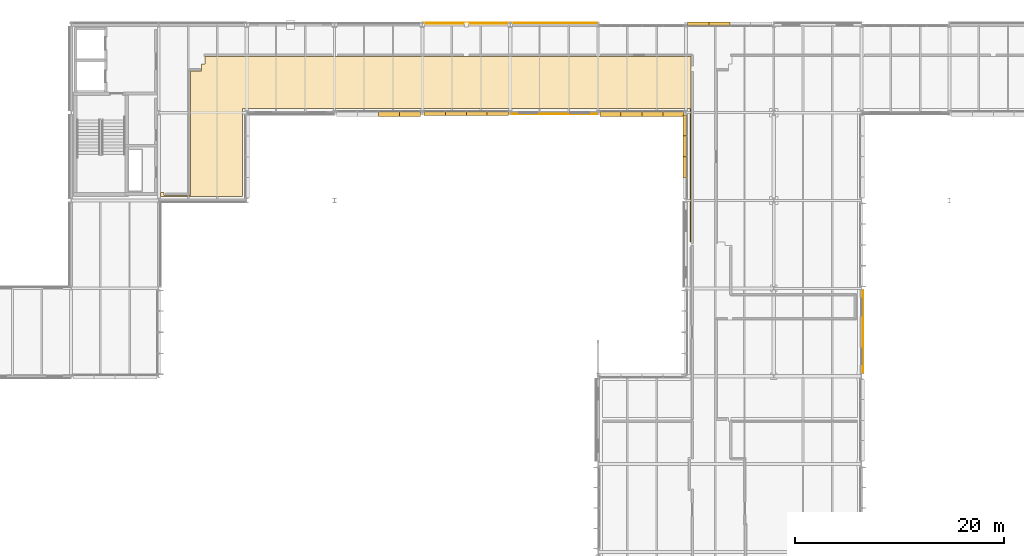
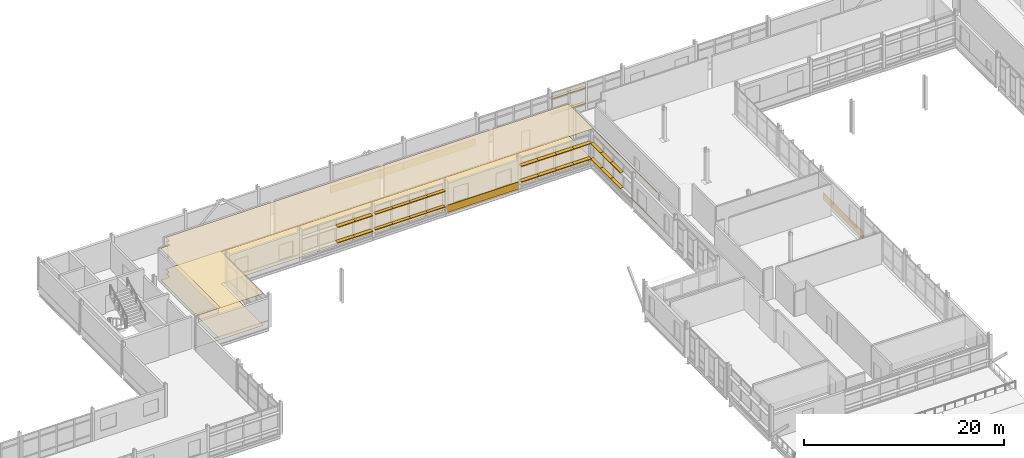
# One storey, part 97 of 103: 30 shading devices, 6 coverings.
"""IFC4 building model written with IfcOpenShell, lengths in metres."""

from ifc_helpers import new_model, si_unit, direction, frame, origin, origin_2d, place, context, subcontext, project, spatial, polyline, rectangle, outline, extrude, material, layer, layer_set, type_object, element, save


model = new_model("IFC4")

# Units and contexts
model_context = context("Model", 3, precision=1e-05, world=origin(), true_north=direction((0.0, 1.0)))
body_context = subcontext(model_context, "Body", "Model", "MODEL_VIEW")
ifc_project = project(units=[si_unit("LENGTHUNIT", "METRE"), si_unit("AREAUNIT", "SQUARE_METRE"), si_unit("VOLUMEUNIT", "CUBIC_METRE"), si_unit("PLANEANGLEUNIT", "RADIAN"), si_unit("MASSUNIT", "GRAM", prefix="KILO")], contexts=[model_context])

# Site, building, storey
site_placement = place(None, origin())
site = spatial("IfcSite", under=ifc_project, at=site_placement, CompositionType="ELEMENT")
building_placement = place(site_placement, origin())
building = spatial("IfcBuilding", under=site, at=building_placement, Name="Mersafa Astral City Hall", CompositionType="ELEMENT")
storey_placement = place(building_placement, frame((0.0, 0.0, 18.0)))
storey = spatial("IfcBuildingStorey", under=building, at=storey_placement, Name="L04", CompositionType="ELEMENT", Elevation=18.0)

# Coverings
ifc_material_1 = material(Name="Cairo Mokattam buff limestone cladding", Category="masonry")
ifc_layer_1 = layer(ifc_material_1, 0.06005859375, Name="Cairo Mokattam buff limestone cladding")
ifc_layer_set_1 = layer_set([ifc_layer_1], Name="Cairo Mokattam buff limestone cladding — ENV-COV-LIMESTONE-60")
covering_type_1 = type_object("IfcCoveringType", Name="ENV-COV-LIMESTONE-60", PredefinedType="CLADDING", material=ifc_layer_set_1)
for number, where, z_axis, x_axis, name in (
    (1, (88.199951171875, 126.162109375, 0.0), (0.0, 0.0, 1.0), (-1.0, 0.0, 0.0), "L04 Cairo buff limestone rainscreen cladding 287"),
    (2, (79.800048828125, 126.154541015625, 0.0), (0.0, 0.0, 1.0), (-1.0, 0.0, 0.0), "L04 Cairo buff limestone rainscreen cladding 288"),
    (3, (88.199951171875, 117.46044921875, 0.0), (0.0, 0.0, 1.0), (1.0, 0.0, 0.0), "L04 Cairo buff limestone rainscreen cladding 308"),
):
    element("IfcCovering", number, at=place(storey_placement, frame(where, z_axis=z_axis, x_axis=x_axis)), inside=storey, type_object=covering_type_1, Name=name, PredefinedType="CLADDING", context=body_context, shape_type="SweptSolid", body=[
        extrude(rectangle(XDim=8.323974609375, YDim=0.06005859375, at=origin_2d()), origin(), (0.0, 0.0, 1.0), 0.860107421875),
    ])
covering_1_placement = place(storey_placement, frame((117.7470703125, 96.66259765625, 0.0), z_axis=(0.0, 0.0, 1.0), x_axis=(0.0, 1.0, 0.0)))
element("IfcCovering", 4, at=covering_1_placement, inside=storey, type_object=covering_type_1, Name="L04 Cairo buff limestone rainscreen cladding 312", PredefinedType="CLADDING", context=body_context, shape_type="SweptSolid", body=[
    extrude(rectangle(XDim=7.923095703125, YDim=0.06005859375, at=origin_2d()), origin(), (0.0, 0.0, 1.0), 0.860107421875),
])

# Shading devices
ifc_material_2 = material(Name="Kiln-dried cedar timber brise-soleil blade", Category="wood")
shading_device_type_1 = type_object("IfcShadingDeviceType", Name="ENV-SHD-LOUVRE-380", PredefinedType="JALOUSIE", material=ifc_material_2)
shading_device_1_placement = place(storey_placement, frame((103.990478515625, 126.080078125, 0.81494140625), z_axis=(0.0, 0.0, 1.0), x_axis=(-1.0, 0.0, 0.0)))
element("IfcShadingDevice", 5, at=shading_device_1_placement, inside=storey, type_object=shading_device_type_1, Name="L04 Horizontal cedar brise-soleil louvre 1238", PredefinedType="JALOUSIE", context=body_context, shape_type="SweptSolid", body=[
    extrude(rectangle(XDim=2.05908203125, YDim=0.3798828125, at=origin_2d()), origin(), (0.0, 0.0, 1.0), 0.070068359375),
])
shading_device_2_placement = place(storey_placement, frame((101.986572265625, 126.080078125, 0.81494140625), z_axis=(0.0, 0.0, 1.0), x_axis=(-1.0, 0.0, 0.0)))
element("IfcShadingDevice", 6, at=shading_device_2_placement, inside=storey, type_object=shading_device_type_1, Name="L04 Horizontal cedar brise-soleil louvre 1239", PredefinedType="JALOUSIE", context=body_context, shape_type="SweptSolid", body=[
    extrude(rectangle(XDim=2.029052734375, YDim=0.3798828125, at=origin_2d()), origin(), (0.0, 0.0, 1.0), 0.070068359375),
])
shading_device_3_placement = place(storey_placement, frame((103.990478515625, 126.080078125, 2.71484375), z_axis=(0.0, 0.0, 1.0), x_axis=(-1.0, 0.0, 0.0)))
element("IfcShadingDevice", 7, at=shading_device_3_placement, inside=storey, type_object=shading_device_type_1, Name="L04 Horizontal cedar brise-soleil louvre 1242", PredefinedType="JALOUSIE", context=body_context, shape_type="SweptSolid", body=[
    extrude(rectangle(XDim=2.05908203125, YDim=0.3798828125, at=origin_2d()), origin(), (0.0, 0.0, 1.0), 0.070068359375),
])
for number, where, z_axis, x_axis, name in (
    (8, (101.986572265625, 126.080078125, 2.71484375), (0.0, 0.0, 1.0), (-1.0, 0.0, 0.0), "L04 Horizontal cedar brise-soleil louvre 1243"),
    (9, (76.78662109375, 117.52001953125, 0.81494140625), (0.0, 0.0, 1.0), (1.0, 0.0, 0.0), "L04 Horizontal cedar brise-soleil louvre 1297"),
):
    element("IfcShadingDevice", number, at=place(storey_placement, frame(where, z_axis=z_axis, x_axis=x_axis)), inside=storey, type_object=shading_device_type_1, Name=name, PredefinedType="JALOUSIE", context=body_context, shape_type="SweptSolid", body=[
        extrude(rectangle(XDim=2.029052734375, YDim=0.3798828125, at=origin_2d()), origin(), (0.0, 0.0, 1.0), 0.070068359375),
    ])
for number, where, z_axis, x_axis, name in (
    (10, (78.79052734375, 117.52001953125, 0.81494140625), (0.0, 0.0, 1.0), (1.0, 0.0, 0.0), "L04 Horizontal cedar brise-soleil louvre 1298"),
    (11, (80.8095703125, 117.52001953125, 0.81494140625), (0.0, 0.0, 1.0), (1.0, 0.0, 0.0), "L04 Horizontal cedar brise-soleil louvre 1299"),
):
    element("IfcShadingDevice", number, at=place(storey_placement, frame(where, z_axis=z_axis, x_axis=x_axis)), inside=storey, type_object=shading_device_type_1, Name=name, PredefinedType="JALOUSIE", context=body_context, shape_type="SweptSolid", body=[
        extrude(rectangle(XDim=2.05908203125, YDim=0.3798828125, at=origin_2d()), origin(), (0.0, 0.0, 1.0), 0.070068359375),
    ])
for number, where, z_axis, x_axis, name in (
    (12, (82.8134765625, 117.52001953125, 0.81494140625), (0.0, 0.0, 1.0), (1.0, 0.0, 0.0), "L04 Horizontal cedar brise-soleil louvre 1300"),
    (13, (76.78662109375, 117.52001953125, 2.71484375), (0.0, 0.0, 1.0), (1.0, 0.0, 0.0), "L04 Horizontal cedar brise-soleil louvre 1301"),
):
    element("IfcShadingDevice", number, at=place(storey_placement, frame(where, z_axis=z_axis, x_axis=x_axis)), inside=storey, type_object=shading_device_type_1, Name=name, PredefinedType="JALOUSIE", context=body_context, shape_type="SweptSolid", body=[
        extrude(rectangle(XDim=2.029052734375, YDim=0.3798828125, at=origin_2d()), origin(), (0.0, 0.0, 1.0), 0.070068359375),
    ])
for number, where, z_axis, x_axis, name in (
    (14, (78.79052734375, 117.52001953125, 2.71484375), (0.0, 0.0, 1.0), (1.0, 0.0, 0.0), "L04 Horizontal cedar brise-soleil louvre 1302"),
    (15, (80.8095703125, 117.52001953125, 2.71484375), (0.0, 0.0, 1.0), (1.0, 0.0, 0.0), "L04 Horizontal cedar brise-soleil louvre 1303"),
):
    element("IfcShadingDevice", number, at=place(storey_placement, frame(where, z_axis=z_axis, x_axis=x_axis)), inside=storey, type_object=shading_device_type_1, Name=name, PredefinedType="JALOUSIE", context=body_context, shape_type="SweptSolid", body=[
        extrude(rectangle(XDim=2.05908203125, YDim=0.3798828125, at=origin_2d()), origin(), (0.0, 0.0, 1.0), 0.070068359375),
    ])
shading_device_4_placement = place(storey_placement, frame((82.8134765625, 117.52001953125, 2.71484375), z_axis=(0.0, 0.0, 1.0), x_axis=(1.0, 0.0, 0.0)))
element("IfcShadingDevice", 16, at=shading_device_4_placement, inside=storey, type_object=shading_device_type_1, Name="L04 Horizontal cedar brise-soleil louvre 1304", PredefinedType="JALOUSIE", context=body_context, shape_type="SweptSolid", body=[
    extrude(rectangle(XDim=2.029052734375, YDim=0.3798828125, at=origin_2d()), origin(), (0.0, 0.0, 1.0), 0.070068359375),
])
shading_device_5_placement = place(storey_placement, frame((100.719970703125, 116.369873046875, 0.81494140625), z_axis=(0.0, 0.0, 1.0), x_axis=(0.0, -1.0, 0.0)))
element("IfcShadingDevice", 17, at=shading_device_5_placement, inside=storey, type_object=shading_device_type_1, Name="L04 Horizontal cedar brise-soleil louvre 1313", PredefinedType="JALOUSIE", context=body_context, shape_type="SweptSolid", body=[
    extrude(rectangle(XDim=2.0166015625, YDim=0.3798828125, at=origin_2d()), origin(), (0.0, 0.0, 1.0), 0.070068359375),
])
for number, where, z_axis, x_axis, name in (
    (18, (100.719970703125, 114.37841796875, 0.81494140625), (0.0, 0.0, 1.0), (0.0, -1.0, 0.0), "L04 Horizontal cedar brise-soleil louvre 1314"),
    (19, (100.719970703125, 112.37158203125, 0.81494140625), (0.0, 0.0, 1.0), (0.0, -1.0, 0.0), "L04 Horizontal cedar brise-soleil louvre 1315"),
):
    element("IfcShadingDevice", number, at=place(storey_placement, frame(where, z_axis=z_axis, x_axis=x_axis)), inside=storey, type_object=shading_device_type_1, Name=name, PredefinedType="JALOUSIE", context=body_context, shape_type="SweptSolid", body=[
        extrude(rectangle(XDim=2.04638671875, YDim=0.3798828125, at=origin_2d()), origin(), (0.0, 0.0, 1.0), 0.070068359375),
    ])
shading_device_6_placement = place(storey_placement, frame((100.719970703125, 116.369873046875, 2.71484375), z_axis=(0.0, 0.0, 1.0), x_axis=(0.0, -1.0, 0.0)))
element("IfcShadingDevice", 20, at=shading_device_6_placement, inside=storey, type_object=shading_device_type_1, Name="L04 Horizontal cedar brise-soleil louvre 1317", PredefinedType="JALOUSIE", context=body_context, shape_type="SweptSolid", body=[
    extrude(rectangle(XDim=2.0166015625, YDim=0.3798828125, at=origin_2d()), origin(), (0.0, 0.0, 1.0), 0.070068359375),
])
for number, where, z_axis, x_axis, name in (
    (21, (100.719970703125, 114.37841796875, 2.71484375), (0.0, 0.0, 1.0), (0.0, -1.0, 0.0), "L04 Horizontal cedar brise-soleil louvre 1318"),
    (22, (100.719970703125, 112.37158203125, 2.71484375), (0.0, 0.0, 1.0), (0.0, -1.0, 0.0), "L04 Horizontal cedar brise-soleil louvre 1319"),
):
    element("IfcShadingDevice", number, at=place(storey_placement, frame(where, z_axis=z_axis, x_axis=x_axis)), inside=storey, type_object=shading_device_type_1, Name=name, PredefinedType="JALOUSIE", context=body_context, shape_type="SweptSolid", body=[
        extrude(rectangle(XDim=2.04638671875, YDim=0.3798828125, at=origin_2d()), origin(), (0.0, 0.0, 1.0), 0.070068359375),
    ])
shading_device_type_2 = type_object("IfcShadingDeviceType", Name="ENV-SHD-LOUVRE-450", PredefinedType="JALOUSIE", material=ifc_material_2)
shading_device_7_placement = place(storey_placement, frame((72.409423828125, 117.485107421875, 0.81005859375), z_axis=(0.0, 0.0, 1.0), x_axis=(1.0, 0.0, 0.0)))
element("IfcShadingDevice", 23, at=shading_device_7_placement, inside=storey, type_object=shading_device_type_2, Name="L04 Horizontal cedar brise-soleil louvre 1291", PredefinedType="JALOUSIE", context=body_context, shape_type="SweptSolid", body=[
    extrude(rectangle(XDim=2.05908203125, YDim=0.449951171875, at=origin_2d()), origin(), (0.0, 0.0, 1.0), 0.080078125),
])
shading_device_8_placement = place(storey_placement, frame((74.41357421875, 117.485107421875, 0.81005859375), z_axis=(0.0, 0.0, 1.0), x_axis=(1.0, 0.0, 0.0)))
element("IfcShadingDevice", 24, at=shading_device_8_placement, inside=storey, type_object=shading_device_type_2, Name="L04 Horizontal cedar brise-soleil louvre 1292", PredefinedType="JALOUSIE", context=body_context, shape_type="SweptSolid", body=[
    extrude(rectangle(XDim=2.029052734375, YDim=0.449951171875, at=origin_2d()), origin(), (0.0, 0.0, 1.0), 0.080078125),
])
shading_device_9_placement = place(storey_placement, frame((72.409423828125, 117.485107421875, 2.7099609375), z_axis=(0.0, 0.0, 1.0), x_axis=(1.0, 0.0, 0.0)))
element("IfcShadingDevice", 25, at=shading_device_9_placement, inside=storey, type_object=shading_device_type_2, Name="L04 Horizontal cedar brise-soleil louvre 1295", PredefinedType="JALOUSIE", context=body_context, shape_type="SweptSolid", body=[
    extrude(rectangle(XDim=2.05908203125, YDim=0.449951171875, at=origin_2d()), origin(), (0.0, 0.0, 1.0), 0.080078125),
])
for number, where, z_axis, x_axis, name in (
    (26, (74.41357421875, 117.485107421875, 2.7099609375), (0.0, 0.0, 1.0), (1.0, 0.0, 0.0), "L04 Horizontal cedar brise-soleil louvre 1296"),
    (27, (93.58642578125, 117.485107421875, 0.81005859375), (0.0, 0.0, 1.0), (1.0, 0.0, 0.0), "L04 Horizontal cedar brise-soleil louvre 1305"),
):
    element("IfcShadingDevice", number, at=place(storey_placement, frame(where, z_axis=z_axis, x_axis=x_axis)), inside=storey, type_object=shading_device_type_2, Name=name, PredefinedType="JALOUSIE", context=body_context, shape_type="SweptSolid", body=[
        extrude(rectangle(XDim=2.029052734375, YDim=0.449951171875, at=origin_2d()), origin(), (0.0, 0.0, 1.0), 0.080078125),
    ])
for number, where, z_axis, x_axis, name in (
    (28, (95.590576171875, 117.485107421875, 0.81005859375), (0.0, 0.0, 1.0), (1.0, 0.0, 0.0), "L04 Horizontal cedar brise-soleil louvre 1306"),
    (29, (97.609619140625, 117.485107421875, 0.81005859375), (0.0, 0.0, 1.0), (1.0, 0.0, 0.0), "L04 Horizontal cedar brise-soleil louvre 1307"),
):
    element("IfcShadingDevice", number, at=place(storey_placement, frame(where, z_axis=z_axis, x_axis=x_axis)), inside=storey, type_object=shading_device_type_2, Name=name, PredefinedType="JALOUSIE", context=body_context, shape_type="SweptSolid", body=[
        extrude(rectangle(XDim=2.05908203125, YDim=0.449951171875, at=origin_2d()), origin(), (0.0, 0.0, 1.0), 0.080078125),
    ])
for number, where, z_axis, x_axis, name in (
    (30, (99.613525390625, 117.485107421875, 0.81005859375), (0.0, 0.0, 1.0), (1.0, 0.0, 0.0), "L04 Horizontal cedar brise-soleil louvre 1308"),
    (31, (93.58642578125, 117.485107421875, 2.7099609375), (0.0, 0.0, 1.0), (1.0, 0.0, 0.0), "L04 Horizontal cedar brise-soleil louvre 1309"),
):
    element("IfcShadingDevice", number, at=place(storey_placement, frame(where, z_axis=z_axis, x_axis=x_axis)), inside=storey, type_object=shading_device_type_2, Name=name, PredefinedType="JALOUSIE", context=body_context, shape_type="SweptSolid", body=[
        extrude(rectangle(XDim=2.029052734375, YDim=0.449951171875, at=origin_2d()), origin(), (0.0, 0.0, 1.0), 0.080078125),
    ])
for number, where, z_axis, x_axis, name in (
    (32, (95.590576171875, 117.485107421875, 2.7099609375), (0.0, 0.0, 1.0), (1.0, 0.0, 0.0), "L04 Horizontal cedar brise-soleil louvre 1310"),
    (33, (97.609619140625, 117.485107421875, 2.7099609375), (0.0, 0.0, 1.0), (1.0, 0.0, 0.0), "L04 Horizontal cedar brise-soleil louvre 1311"),
):
    element("IfcShadingDevice", number, at=place(storey_placement, frame(where, z_axis=z_axis, x_axis=x_axis)), inside=storey, type_object=shading_device_type_2, Name=name, PredefinedType="JALOUSIE", context=body_context, shape_type="SweptSolid", body=[
        extrude(rectangle(XDim=2.05908203125, YDim=0.449951171875, at=origin_2d()), origin(), (0.0, 0.0, 1.0), 0.080078125),
    ])
shading_device_10_placement = place(storey_placement, frame((99.613525390625, 117.485107421875, 2.7099609375), z_axis=(0.0, 0.0, 1.0), x_axis=(1.0, 0.0, 0.0)))
element("IfcShadingDevice", 34, at=shading_device_10_placement, inside=storey, type_object=shading_device_type_2, Name="L04 Horizontal cedar brise-soleil louvre 1312", PredefinedType="JALOUSIE", context=body_context, shape_type="SweptSolid", body=[
    extrude(rectangle(XDim=2.029052734375, YDim=0.449951171875, at=origin_2d()), origin(), (0.0, 0.0, 1.0), 0.080078125),
])

# Coverings
ifc_material_3 = material(Name="Perforated acoustic gypsum board ceiling", Category="gypsum")
ifc_layer_2 = layer(ifc_material_3, 0.02490234375, Name="Perforated acoustic gypsum board ceiling")
ifc_layer_set_2 = layer_set([ifc_layer_2], Name="Perforated acoustic gypsum board ceiling — INT-COV-CEIL-25")
covering_type_2 = type_object("IfcCoveringType", Name="INT-COV-CEIL-25", PredefinedType="CEILING", material=ifc_layer_set_2)
covering_2_placement = place(storey_placement, frame((0.0, 0.0, 3.85107421875)))
element("IfcCovering", 35, at=covering_2_placement, inside=storey, type_object=covering_type_2, Name="L04 Environmental & Climate Planning Studio L04-10 acoustic ceiling", PredefinedType="CEILING", context=body_context, shape_type="SweptSolid", body=[
    extrude(outline(polyline([(58.39990234375, 118.0), (58.39990234375, 109.60009765625), (50.56005859375, 109.60009765625), (50.56005859375, 109.97998046875), (50.8798828125, 109.97998046875), (50.8798828125, 109.679931640625), (53.43994140625, 109.679931640625), (53.43994140625, 121.570068359375), (54.47998046875, 121.570068359375), (54.47998046875, 122.27001953125), (54.830078125, 122.27001953125), (54.830078125, 122.9599609375), (101.280029296875, 122.9599609375), (101.280029296875, 105.22998046875), (101.199951171875, 105.22998046875), (101.199951171875, 118.0), (58.39990234375, 118.0)])), origin(), (0.0, 0.0, 1.0), 0.02490234375),
])
ifc_material_4 = material(Name="Heavy-duty woven acoustic carpet tile", Category="finish")
ifc_layer_3 = layer(ifc_material_4, 0.014892578125, Name="Heavy-duty woven acoustic carpet tile")
ifc_layer_set_3 = layer_set([ifc_layer_3], Name="Heavy-duty woven acoustic carpet tile — INT-COV-FLR-15")
covering_type_3 = type_object("IfcCoveringType", Name="INT-COV-FLR-15", PredefinedType="FLOORING", material=ifc_layer_set_3)
covering_3_placement = place(storey_placement, frame((0.0, 0.0, -0.00146484375)))
element("IfcCovering", 36, at=covering_3_placement, inside=storey, type_object=covering_type_3, Name="L04 Environmental & Climate Planning Studio L04-10 architectural flooring", PredefinedType="FLOORING", context=body_context, shape_type="SweptSolid", body=[
    extrude(outline(polyline([(58.39990234375, 118.0), (58.39990234375, 109.60009765625), (50.56005859375, 109.60009765625), (50.56005859375, 109.97998046875), (50.8798828125, 109.97998046875), (50.8798828125, 109.679931640625), (53.43994140625, 109.679931640625), (53.43994140625, 121.570068359375), (54.47998046875, 121.570068359375), (54.47998046875, 122.27001953125), (54.830078125, 122.27001953125), (54.830078125, 122.9599609375), (101.280029296875, 122.9599609375), (101.280029296875, 105.22998046875), (101.199951171875, 105.22998046875), (101.199951171875, 118.0), (58.39990234375, 118.0)])), origin(), (0.0, 0.0, 1.0), 0.014892578125),
])

save(model, "model.ifc")
